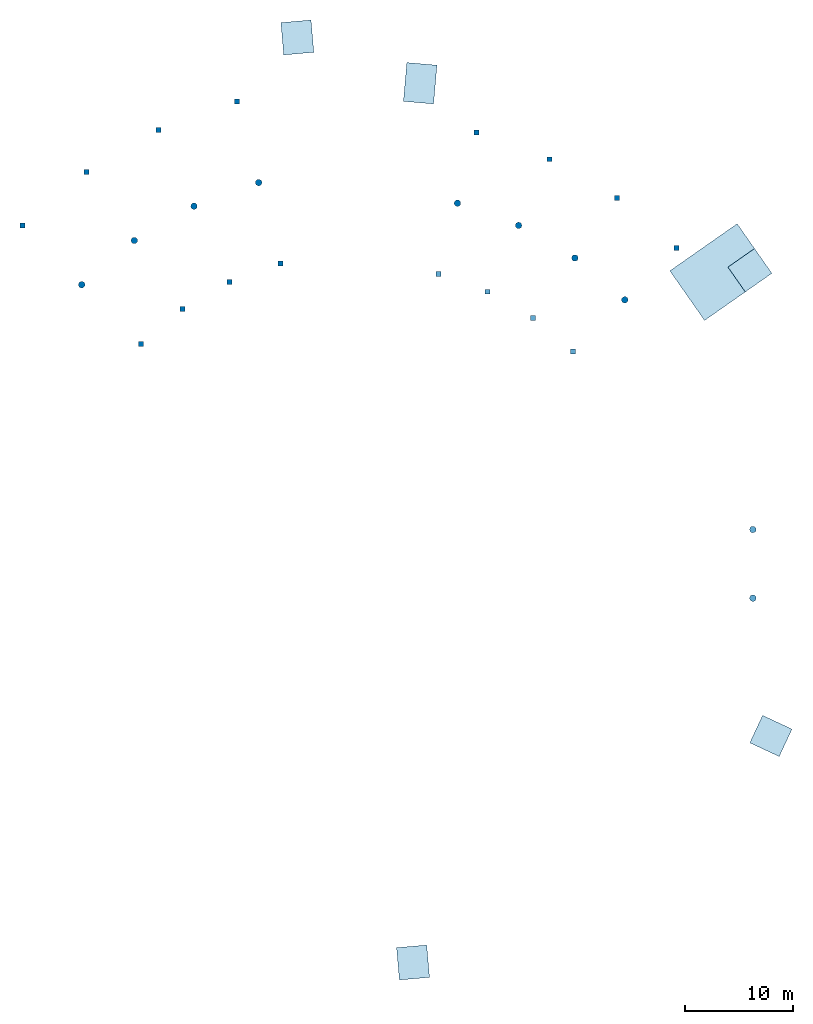
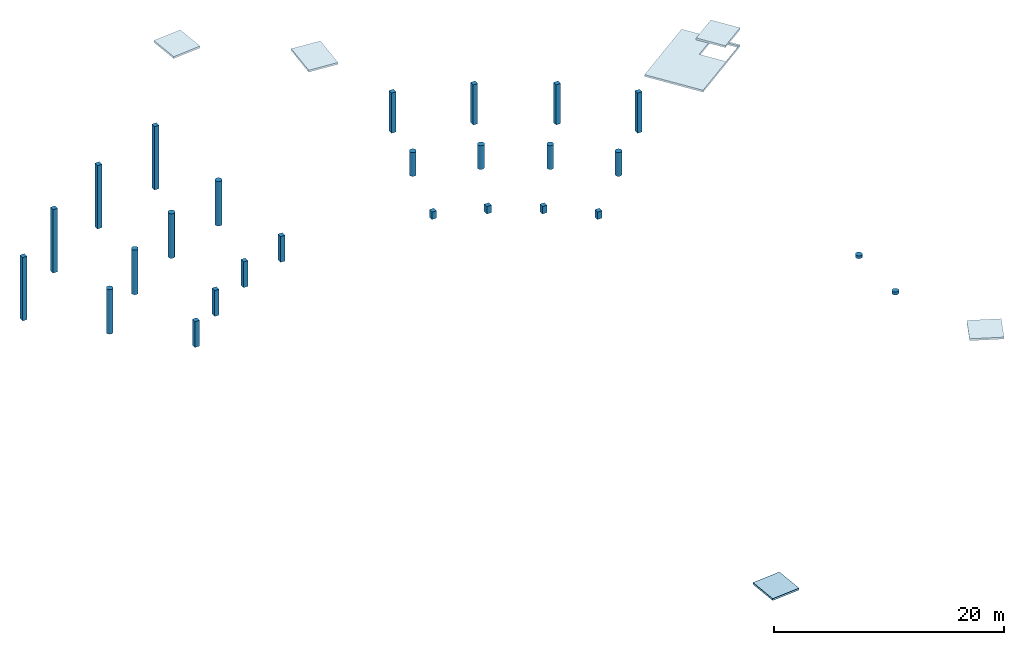
# One storey: 26 columns, 6 slabs.
"""IFC4 building model written with IfcOpenShell, lengths in metres."""

from ifc_helpers import new_model, si_unit, direction, frame, origin, origin_2d, place, context, subcontext, project, spatial, polyline, rectangle, circle, outline, extrude, material, layer, layer_set, material_profile, profile_set, type_object, element, save


model = new_model("IFC4")

# Units and contexts
model_context = context("Model", 3, precision=1e-05, world=origin(), true_north=direction((0.0, 1.0)))
body_context = subcontext(model_context, "Body", "Model", "MODEL_VIEW")
ifc_project = project(units=[si_unit("LENGTHUNIT", "METRE"), si_unit("AREAUNIT", "SQUARE_METRE"), si_unit("VOLUMEUNIT", "CUBIC_METRE"), si_unit("PLANEANGLEUNIT", "RADIAN"), si_unit("MASSUNIT", "GRAM", prefix="KILO")], contexts=[model_context])

# Site, building, storey
site_placement = place(None, origin())
site = spatial("IfcSite", under=ifc_project, at=site_placement, CompositionType="ELEMENT")
building_placement = place(site_placement, origin())
building = spatial("IfcBuilding", under=site, at=building_placement, Name="Volute Hill Aquarium", CompositionType="ELEMENT")
storey_placement = place(building_placement, frame((0.0, 0.0, 18.10009765625)))
storey = spatial("IfcBuildingStorey", under=building, at=storey_placement, Name="ROOF 1", CompositionType="ELEMENT", Elevation=18.10009765625)

# Columns
ifc_material_1 = material(Name="Concrete C35/45", Category="concrete")
ifc_material_profile_1 = material_profile(ifc_material_1, rectangle(XDim=0.449951171875, YDim=0.449951171875, at=origin_2d()), Name="RC column 450x450")
ifc_profile_set_1 = profile_set([ifc_material_profile_1], Name="Concrete C35/45")
column_type_1 = type_object("IfcColumnType", Name="Column column 450x450 C35/45", PredefinedType="COLUMN", material=ifc_profile_set_1)
for number, where, z_axis, x_axis, name in (
    (1, (19.631103515625, 19.631103515625, 0.0), (0.0, 0.0, 1.0), (1.0, 0.0, 0.0), "col/S5/L04/1.1/ROOF1"),
    (2, (15.923828125, 22.74169921875, 0.0), (0.0, 0.0, 1.0), (1.0, 0.0, 0.0), "col/S5/L04/1.2/ROOF1"),
    (3, (11.73291015625, 25.161376953125, 0.0), (0.0, 0.0, 1.0), (1.0, 0.0, 0.0), "col/S5/L04/1.3/ROOF1"),
    (4, (7.185546875, 26.81640625, 0.0), (0.0, 0.0, 1.0), (1.0, 0.0, 0.0), "col/S5/L04/1.4/ROOF1"),
):
    element("IfcColumn", number, at=place(storey_placement, frame(where, z_axis=z_axis, x_axis=x_axis)), inside=storey, type_object=column_type_1, Name=name, PredefinedType="COLUMN", context=body_context, shape_type="SweptSolid", body=[
        extrude(rectangle(XDim=0.449951171875, YDim=0.449951171875, at=origin_2d()), origin(), (0.0, 0.0, 1.0), 0.7802734375),
    ])
for number, where, z_axis, x_axis, name in (
    (5, (29.194580078125, 29.194580078125, 0.0), (0.0, 0.0, 1.0), (1.0, 0.0, 0.0), "col/S5/L04/3.1/ROOF1"),
    (6, (23.681396484375, 33.82080078125, 0.0), (0.0, 0.0, 1.0), (1.0, 0.0, 0.0), "col/S5/L04/3.2/ROOF1"),
    (7, (17.448974609375, 37.419189453125, 0.0), (0.0, 0.0, 1.0), (1.0, 0.0, 0.0), "col/S5/L04/3.3/ROOF1"),
    (8, (10.68603515625, 39.880615234375, 0.0), (0.0, 0.0, 1.0), (1.0, 0.0, 0.0), "col/S5/L04/3.4/ROOF1"),
):
    element("IfcColumn", number, at=place(storey_placement, frame(where, z_axis=z_axis, x_axis=x_axis)), inside=storey, type_object=column_type_1, Name=name, PredefinedType="COLUMN", context=body_context, shape_type="SweptSolid", body=[
        extrude(rectangle(XDim=0.449951171875, YDim=0.449951171875, at=origin_2d()), origin(), (0.0, 0.0, 1.0), 4.25732421875),
    ])
for number, where, z_axis, x_axis, name in (
    (9, (-7.44091796875, 27.7705078125, 0.0), (0.0, 0.0, 1.0), (1.0, 0.0, 0.0), "col/S6/L04/1.1/ROOF1"),
    (10, (-12.150390625, 26.056396484375, 0.0), (0.0, 0.0, 1.0), (1.0, 0.0, 0.0), "col/S6/L04/1.2/ROOF1"),
    (11, (-16.490234375, 23.550537109375, 0.0), (0.0, 0.0, 1.0), (1.0, 0.0, 0.0), "col/S6/L04/1.3/ROOF1"),
    (12, (-20.329345703125, 20.329345703125, 0.0), (0.0, 0.0, 1.0), (1.0, 0.0, 0.0), "col/S6/L04/1.4/ROOF1"),
):
    element("IfcColumn", number, at=place(storey_placement, frame(where, z_axis=z_axis, x_axis=x_axis)), inside=storey, type_object=column_type_1, Name=name, PredefinedType="COLUMN", context=body_context, shape_type="SweptSolid", body=[
        extrude(rectangle(XDim=0.449951171875, YDim=0.449951171875, at=origin_2d()), origin(), (0.0, 0.0, 1.0), 2.734130859375),
    ])
for number, where, z_axis, x_axis, name in (
    (13, (-11.45263671875, 42.7421875, 0.0), (0.0, 0.0, 1.0), (1.0, 0.0, 0.0), "col/S6/L04/3.1/ROOF1"),
    (14, (-18.700927734375, 40.10400390625, 0.0), (0.0, 0.0, 1.0), (1.0, 0.0, 0.0), "col/S6/L04/3.2/ROOF1"),
    (15, (-25.380859375, 36.24755859375, 0.0), (0.0, 0.0, 1.0), (1.0, 0.0, 0.0), "col/S6/L04/3.3/ROOF1"),
    (16, (-31.28955078125, 31.28955078125, 0.0), (0.0, 0.0, 1.0), (1.0, 0.0, 0.0), "col/S6/L04/3.4/ROOF1"),
):
    element("IfcColumn", number, at=place(storey_placement, frame(where, z_axis=z_axis, x_axis=x_axis)), inside=storey, type_object=column_type_1, Name=name, PredefinedType="COLUMN", context=body_context, shape_type="SweptSolid", body=[
        extrude(rectangle(XDim=0.449951171875, YDim=0.449951171875, at=origin_2d()), origin(), (0.0, 0.0, 1.0), 6.718994140625),
    ])
ifc_material_2 = material(Name="Concrete C35/45", Category="concrete")
ifc_material_profile_2 = material_profile(ifc_material_2, circle(Radius=0.300048828125, at=origin_2d()), Name="RC round column D600")
ifc_profile_set_2 = profile_set([ifc_material_profile_2], Name="Concrete C35/45")
column_type_2 = type_object("IfcColumnType", Name="Column round column D600 C35/45", PredefinedType="COLUMN", material=ifc_profile_set_2)
for number, where, z_axis, x_axis, name in (
    (17, (36.261474609375, -3.172607421875, 0.0), (0.0, 0.0, 1.0), (1.0, 0.0, 0.0), "col/S4/L03/2.2/ROOF1"),
    (18, (36.261474609375, 3.172607421875, 0.0), (0.0, 0.0, 1.0), (1.0, 0.0, 0.0), "col/S4/L03/2.3/ROOF1"),
):
    element("IfcColumn", number, at=place(storey_placement, frame(where, z_axis=z_axis, x_axis=x_axis)), inside=storey, type_object=column_type_2, Name=name, PredefinedType="COLUMN", context=body_context, shape_type="SweptSolid", body=[
        extrude(circle(Radius=0.300048828125, at=origin_2d()), origin(), (0.0, 0.0, 1.0), 0.30078125),
    ])
for number, where, z_axis, x_axis, name in (
    (19, (24.412841796875, 24.412841796875, 0.0), (0.0, 0.0, 1.0), (1.0, 0.0, 0.0), "col/S5/L04/2.1/ROOF1"),
    (20, (19.802734375, 28.28125, 0.0), (0.0, 0.0, 1.0), (1.0, 0.0, 0.0), "col/S5/L04/2.2/ROOF1"),
    (21, (14.5908203125, 31.290283203125, 0.0), (0.0, 0.0, 1.0), (1.0, 0.0, 0.0), "col/S5/L04/2.3/ROOF1"),
    (22, (8.935791015625, 33.3486328125, 0.0), (0.0, 0.0, 1.0), (1.0, 0.0, 0.0), "col/S5/L04/2.4/ROOF1"),
):
    element("IfcColumn", number, at=place(storey_placement, frame(where, z_axis=z_axis, x_axis=x_axis)), inside=storey, type_object=column_type_2, Name=name, PredefinedType="COLUMN", context=body_context, shape_type="SweptSolid", body=[
        extrude(circle(Radius=0.300048828125, at=origin_2d()), origin(), (0.0, 0.0, 1.0), 2.518798828125),
    ])
for number, where, z_axis, x_axis, name in (
    (23, (-9.447021484375, 35.25634765625, 0.0), (0.0, 0.0, 1.0), (1.0, 0.0, 0.0), "col/S6/L04/2.1/ROOF1"),
    (24, (-15.425537109375, 33.080078125, 0.0), (0.0, 0.0, 1.0), (1.0, 0.0, 0.0), "col/S6/L04/2.2/ROOF1"),
    (25, (-20.935546875, 29.89892578125, 0.0), (0.0, 0.0, 1.0), (1.0, 0.0, 0.0), "col/S6/L04/2.3/ROOF1"),
    (26, (-25.809326171875, 25.809326171875, 0.0), (0.0, 0.0, 1.0), (1.0, 0.0, 0.0), "col/S6/L04/2.4/ROOF1"),
):
    element("IfcColumn", number, at=place(storey_placement, frame(where, z_axis=z_axis, x_axis=x_axis)), inside=storey, type_object=column_type_2, Name=name, PredefinedType="COLUMN", context=body_context, shape_type="SweptSolid", body=[
        extrude(circle(Radius=0.300048828125, at=origin_2d()), origin(), (0.0, 0.0, 1.0), 4.7265625),
    ])

# Slabs
ifc_material_3 = material(Name="Concrete C30/37", Category="concrete")
ifc_layer = layer(ifc_material_3, 0.199951171875)
ifc_layer_set = layer_set([ifc_layer], Name="Lift shaft roof 200")
slab_type = type_object("IfcSlabType", Name="Lift shaft roof 200", PredefinedType="ROOF", material=ifc_layer_set)
slab_1_placement = place(storey_placement, frame((0.0, 0.0, 0.2490234375)))
element("IfcSlab", 27, at=slab_1_placement, inside=storey, type_object=slab_type, Name="cs/S3-A/shaft-roof", PredefinedType="ROOF", context=body_context, shape_type="SweptSolid", body=[
    extrude(outline(polyline([(3.306396484375, -35.496826171875), (3.56787109375, -38.485595703125), (6.357177734375, -38.241455078125), (6.095703125, -35.2529296875), (3.306396484375, -35.496826171875)])), origin(), (0.0, 0.0, 1.0), 0.199951171875),
])
slab_2_placement = place(storey_placement, frame((0.0, 0.0, 3.164794921875)))
element("IfcSlab", 28, at=slab_2_placement, inside=storey, type_object=slab_type, Name="cs/S4-A/shaft-roof", PredefinedType="ROOF", context=body_context, shape_type="SweptSolid", body=[
    extrude(outline(polyline([(35.974365234375, -16.554443359375), (38.693115234375, -17.822265625), (39.876708984375, -15.28466796875), (37.15771484375, -14.016845703125), (35.974365234375, -16.554443359375)])), origin(), (0.0, 0.0, 1.0), 0.2001953125),
])
slab_3_placement = place(storey_placement, frame((0.0, 0.0, 7.2998046875)))
element("IfcSlab", 29, at=slab_3_placement, inside=storey, type_object=slab_type, Name="cs/S5-A/head", PredefinedType="ROOF", context=body_context, shape_type="SweptSolid", body=[
    extrude(outline(polyline([(31.791259765625, 22.504638671875), (38.016845703125, 26.86376953125), (34.8046875, 31.451171875), (28.5791015625, 27.091796875), (31.791259765625, 22.504638671875)]), holes=[polyline([(34.23193359375, 27.3876953125), (36.36181640625, 28.87890625), (37.82421875, 26.7900390625), (35.694580078125, 25.298828125), (34.23193359375, 27.3876953125)])]), origin(), (0.0, 0.0, 1.0), 0.2001953125),
])
slab_4_placement = place(storey_placement, frame((0.0, 0.0, 9.099853515625)))
element("IfcSlab", 30, at=slab_4_placement, inside=storey, type_object=slab_type, Name="cs/S5-A/shaft-roof", PredefinedType="ROOF", context=body_context, shape_type="SweptSolid", body=[
    extrude(outline(polyline([(35.559326171875, 25.14306640625), (38.016845703125, 26.86376953125), (36.410888671875, 29.157470703125), (33.953369140625, 27.436767578125), (35.559326171875, 25.14306640625)])), origin(), (0.0, 0.0, 1.0), 0.199951171875),
])
slab_5_placement = place(storey_placement, frame((0.0, 0.0, 6.8798828125)))
element("IfcSlab", 31, at=slab_5_placement, inside=storey, type_object=slab_type, Name="cs/S5-B/shaft-roof", PredefinedType="ROOF", context=body_context, shape_type="SweptSolid", body=[
    extrude(outline(polyline([(6.73193359375, 42.525146484375), (7.045654296875, 46.111328125), (4.25634765625, 46.35546875), (3.942626953125, 42.76904296875), (6.73193359375, 42.525146484375)])), origin(), (0.0, 0.0, 1.0), 0.199951171875),
])
slab_6_placement = place(storey_placement, frame((0.0, 0.0, 9.595947265625)))
element("IfcSlab", 32, at=slab_6_placement, inside=storey, type_object=slab_type, Name="cs/S6-A/shaft-roof", PredefinedType="ROOF", context=body_context, shape_type="SweptSolid", body=[
    extrude(outline(polyline([(-4.339111328125, 47.3017578125), (-4.6005859375, 50.290283203125), (-7.389892578125, 50.04638671875), (-7.12841796875, 47.057861328125), (-4.339111328125, 47.3017578125)])), origin(), (0.0, 0.0, 1.0), 0.199951171875),
])

save(model, "model.ifc")
